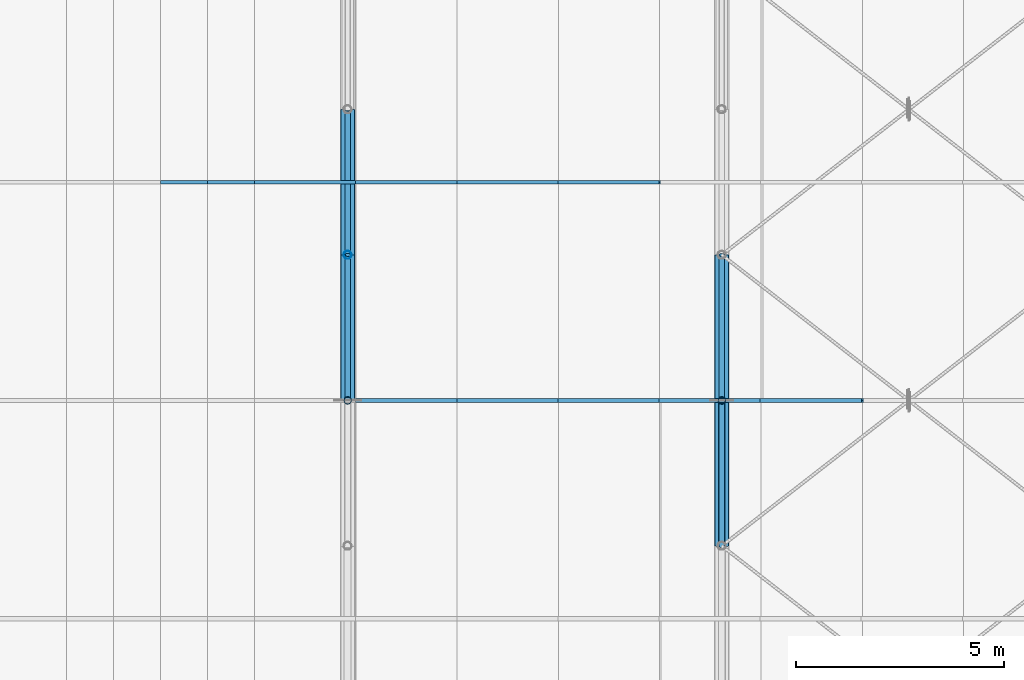
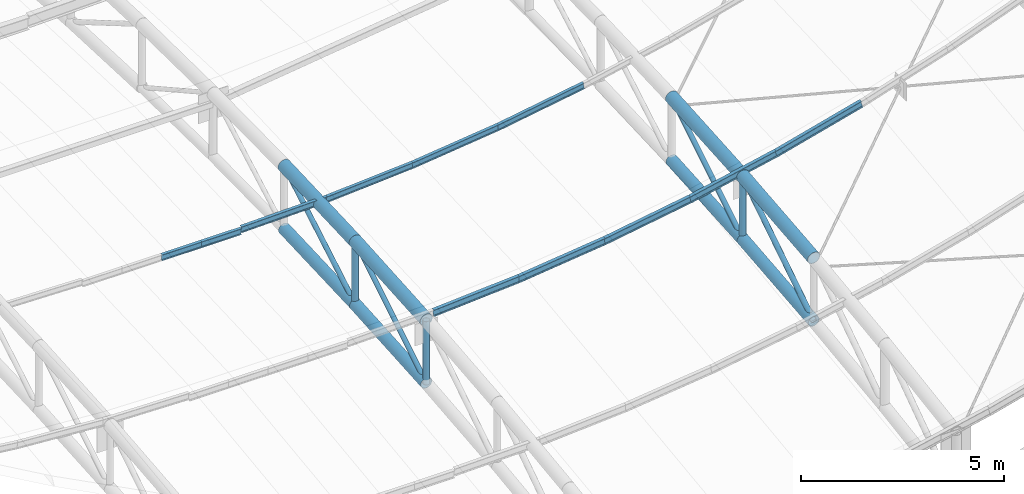
# One storey, part 28 of 262: 26 members.
"""IFC4 building model written with IfcOpenShell, lengths in metres."""

from ifc_helpers import new_model, si_unit, derived_unit, direction, frame, origin, origin_2d, place, context, subcontext, project, spatial, hollow_circle, i_section, extrude, material, material_profile, profile_set, type_object, element, save


model = new_model("IFC4")

# Units and contexts
model_context = context("Model", 3, precision=1e-05, world=origin(), true_north=direction((0.0, 1.0)))
body_context = subcontext(model_context, "Body", "Model", "MODEL_VIEW")
ifc_project = project(units=[si_unit("LENGTHUNIT", "METRE"), si_unit("AREAUNIT", "SQUARE_METRE"), si_unit("VOLUMEUNIT", "CUBIC_METRE"), si_unit("PLANEANGLEUNIT", "RADIAN"), si_unit("MASSUNIT", "GRAM", prefix="KILO"), derived_unit("THERMALTRANSMITTANCEUNIT", [(si_unit("POWERUNIT", "WATT"), 1), (si_unit("LENGTHUNIT", "METRE"), -2), (si_unit("THERMODYNAMICTEMPERATUREUNIT", "KELVIN"), -1)])], contexts=[model_context])

# Site, building, storey
site_placement = place(None, origin())
site = spatial("IfcSite", under=ifc_project, at=site_placement, CompositionType="ELEMENT")
building_placement = place(site_placement, origin())
building = spatial("IfcBuilding", under=site, at=building_placement, Name="Almenara Railside Exhibition Hall", CompositionType="ELEMENT")
storey_placement = place(building_placement, frame((0.0, 0.0, 21.699951171875)))
storey = spatial("IfcBuildingStorey", under=building, at=storey_placement, Name="RF", CompositionType="ELEMENT", Elevation=21.699951171875)

# Members
ifc_material = material(Name="Structural steel S355JR", Category="steel")
ifc_material_profile_1 = material_profile(ifc_material, i_section(OverallWidth=0.091064453125, OverallDepth=0.179931640625, WebThickness=0.00537109375, FlangeThickness=0.008056640625, FilletRadius=0.009033203125, at=origin_2d()), Name="IPE 180")
ifc_profile_set_1 = profile_set([ifc_material_profile_1], Name="Structural steel S355JR")
member_type_1 = type_object("IfcMemberType", Name="Plenary Roof Purlin IPE 180 S355JR", PredefinedType="PURLIN", material=ifc_profile_set_1)
member_1_placement = place(storey_placement, frame((34.5, 15.75, -6.424560546875), z_axis=(1.0, 0.0, 0.0), x_axis=(0.0, 1.0, 0.0)))
element("IfcMember", 1, at=member_1_placement, inside=storey, type_object=member_type_1, Name="MEM-PR-V4-PR-IPE180-03-14", PredefinedType="PURLIN", context=body_context, shape_type="SweptSolid", body=[
    extrude(i_section(OverallWidth=0.091064453125, OverallDepth=0.179931640625, WebThickness=0.00537109375, FlangeThickness=0.008056640625, FilletRadius=0.009033203125, at=origin_2d()), origin(), (0.0, 0.0, 1.0), 1.1298828125),
])
member_2_placement = place(storey_placement, frame((35.6298828125, 15.75, -6.424560546875), z_axis=(1.0, 0.0, 0.0), x_axis=(0.0, 1.0, 0.0)))
element("IfcMember", 2, at=member_2_placement, inside=storey, type_object=member_type_1, Name="MEM-PR-V4-PR-IPE180-03-15", PredefinedType="PURLIN", context=body_context, shape_type="SweptSolid", body=[
    extrude(i_section(OverallWidth=0.091064453125, OverallDepth=0.179931640625, WebThickness=0.00537109375, FlangeThickness=0.008056640625, FilletRadius=0.009033203125, at=origin_2d()), origin(), (0.0, 0.0, 1.0), 1.129638671875),
])
member_3_placement = place(storey_placement, frame((36.759521484375, 15.75, -6.37451171875), z_axis=(0.999725289903, 0.0, 0.023438104182), x_axis=(0.0, 1.0, 0.0)))
element("IfcMember", 3, at=member_3_placement, inside=storey, type_object=member_type_1, Name="MEM-PR-V4-PR-IPE180-03-16", PredefinedType="PURLIN", context=body_context, shape_type="SweptSolid", body=[
    extrude(i_section(OverallWidth=0.091064453125, OverallDepth=0.179931640625, WebThickness=0.00537109375, FlangeThickness=0.008056640625, FilletRadius=0.009033203125, at=origin_2d()), origin(), (0.0, 0.0, 1.0), 2.4375),
])
member_4_placement = place(storey_placement, frame((39.1962890625, 15.75, -6.318115234375), z_axis=(0.997521719737, 0.0, 0.070359211571), x_axis=(0.0, 1.0, 0.0)))
element("IfcMember", 4, at=member_4_placement, inside=storey, type_object=member_type_1, Name="MEM-PR-V4-PR-IPE180-03-17", PredefinedType="PURLIN", context=body_context, shape_type="SweptSolid", body=[
    extrude(i_section(OverallWidth=0.091064453125, OverallDepth=0.179931640625, WebThickness=0.00537109375, FlangeThickness=0.008056640625, FilletRadius=0.009033203125, at=origin_2d()), origin(), (0.0, 0.0, 1.0), 2.44287109375),
])
member_5_placement = place(storey_placement, frame((41.633056640625, 15.75, -6.147705078125), z_axis=(0.993105700961, 0.0, 0.117222296166), x_axis=(0.0, 1.0, 0.0)))
element("IfcMember", 5, at=member_5_placement, inside=storey, type_object=member_type_1, Name="MEM-PR-V4-PR-IPE180-03-18", PredefinedType="PURLIN", context=body_context, shape_type="SweptSolid", body=[
    extrude(i_section(OverallWidth=0.091064453125, OverallDepth=0.179931640625, WebThickness=0.00537109375, FlangeThickness=0.008056640625, FilletRadius=0.009033203125, at=origin_2d()), origin(), (0.0, 0.0, 1.0), 2.453369140625),
])
member_6_placement = place(storey_placement, frame((44.069580078125, 15.75, -5.862060546875), z_axis=(0.986449960692, 0.0, 0.164062412058), x_axis=(0.0, 1.0, 0.0)))
element("IfcMember", 6, at=member_6_placement, inside=storey, type_object=member_type_1, Name="MEM-PR-V4-PR-IPE180-03-19", PredefinedType="PURLIN", context=body_context, shape_type="SweptSolid", body=[
    extrude(i_section(OverallWidth=0.091064453125, OverallDepth=0.179931640625, WebThickness=0.00537109375, FlangeThickness=0.008056640625, FilletRadius=0.009033203125, at=origin_2d()), origin(), (0.0, 0.0, 1.0), 2.47021484375),
])
ifc_material_profile_2 = material_profile(ifc_material, hollow_circle(Radius=0.161865234375, WallThickness=0.010009765625, at=origin_2d()), Name="CHS 323.9x10")
ifc_profile_set_2 = profile_set([ifc_material_profile_2], Name="Structural steel S355JR")
member_type_2 = type_object("IfcMemberType", Name="Plenary Truss Bottom Chord CHS 323.9x10 S355JR", PredefinedType="CHORD", material=ifc_profile_set_2)
member_7_placement = place(storey_placement, frame((39.0, 10.5, -8.6015625), z_axis=(0.0, 0.997458699831, 0.071247049988), x_axis=(-1.0, 0.0, 0.0)))
element("IfcMember", 7, at=member_7_placement, inside=storey, type_object=member_type_2, Name="MEM-BC-V4-04-03", PredefinedType="CHORD", context=body_context, shape_type="SweptSolid", body=[
    extrude(hollow_circle(Radius=0.161865234375, WallThickness=0.010009765625, at=origin_2d()), origin(), (0.0, 0.0, 1.0), 3.509033203125),
])
member_8_placement = place(storey_placement, frame((39.0, 14.0, -8.3515625), z_axis=(0.0, 0.999084087935, 0.042790013253), x_axis=(-1.0, 0.0, 0.0)))
element("IfcMember", 8, at=member_8_placement, inside=storey, type_object=member_type_2, Name="MEM-BC-V4-04-04", PredefinedType="CHORD", context=body_context, shape_type="SweptSolid", body=[
    extrude(hollow_circle(Radius=0.161865234375, WallThickness=0.010009765625, at=origin_2d()), origin(), (0.0, 0.0, 1.0), 3.503173828125),
])
member_9_placement = place(storey_placement, frame((48.0, 7.0, -7.7705078125), z_axis=(0.0, 0.995041312637, 0.09946248612), x_axis=(-1.0, 0.0, 0.0)))
element("IfcMember", 9, at=member_9_placement, inside=storey, type_object=member_type_2, Name="MEM-BC-V4-05-02", PredefinedType="CHORD", context=body_context, shape_type="SweptSolid", body=[
    extrude(hollow_circle(Radius=0.161865234375, WallThickness=0.010009765625, at=origin_2d()), origin(), (0.0, 0.0, 1.0), 3.517333984375),
])
member_10_placement = place(storey_placement, frame((48.0, 10.5, -7.420654296875), z_axis=(0.0, 0.997458699831, 0.071247049988), x_axis=(-1.0, 0.0, 0.0)))
element("IfcMember", 10, at=member_10_placement, inside=storey, type_object=member_type_2, Name="MEM-BC-V4-05-03", PredefinedType="CHORD", context=body_context, shape_type="SweptSolid", body=[
    extrude(hollow_circle(Radius=0.161865234375, WallThickness=0.010009765625, at=origin_2d()), origin(), (0.0, 0.0, 1.0), 3.509033203125),
])
ifc_material_profile_3 = material_profile(ifc_material, hollow_circle(Radius=0.177734375, WallThickness=0.012451171875, at=origin_2d()), Name="CHS 355.6x12.5")
ifc_profile_set_3 = profile_set([ifc_material_profile_3], Name="Structural steel S355JR")
member_type_3 = type_object("IfcMemberType", Name="Plenary Truss Top Chord CHS 355.6x12.5 S355JR", PredefinedType="CHORD", material=ifc_profile_set_3)
member_11_placement = place(storey_placement, frame((39.0, 10.5, -6.70166015625), z_axis=(0.0, 0.997458699831, 0.071247049988), x_axis=(-1.0, 0.0, 0.0)))
element("IfcMember", 11, at=member_11_placement, inside=storey, type_object=member_type_3, Name="MEM-TC-V4-04-03", PredefinedType="CHORD", context=body_context, shape_type="SweptSolid", body=[
    extrude(hollow_circle(Radius=0.177734375, WallThickness=0.012451171875, at=origin_2d()), origin(), (0.0, 0.0, 1.0), 3.509033203125),
])
member_12_placement = place(storey_placement, frame((39.0, 14.0, -6.45166015625), z_axis=(0.0, 0.999084087935, 0.042790013253), x_axis=(-1.0, 0.0, 0.0)))
element("IfcMember", 12, at=member_12_placement, inside=storey, type_object=member_type_3, Name="MEM-TC-V4-04-04", PredefinedType="CHORD", context=body_context, shape_type="SweptSolid", body=[
    extrude(hollow_circle(Radius=0.177734375, WallThickness=0.012451171875, at=origin_2d()), origin(), (0.0, 0.0, 1.0), 3.503173828125),
])
member_13_placement = place(storey_placement, frame((48.0, 7.0, -5.87060546875), z_axis=(0.0, 0.995034440995, 0.099531207337), x_axis=(-1.0, 0.0, 0.0)))
element("IfcMember", 13, at=member_13_placement, inside=storey, type_object=member_type_3, Name="MEM-TC-V4-05-02", PredefinedType="CHORD", context=body_context, shape_type="SweptSolid", body=[
    extrude(hollow_circle(Radius=0.177734375, WallThickness=0.012451171875, at=origin_2d()), origin(), (0.0, 0.0, 1.0), 3.517578125),
])
member_14_placement = place(storey_placement, frame((48.0, 10.5, -5.5205078125), z_axis=(0.0, 0.997458699831, 0.071247049988), x_axis=(-1.0, 0.0, 0.0)))
element("IfcMember", 14, at=member_14_placement, inside=storey, type_object=member_type_3, Name="MEM-TC-V4-05-03", PredefinedType="CHORD", context=body_context, shape_type="SweptSolid", body=[
    extrude(hollow_circle(Radius=0.177734375, WallThickness=0.012451171875, at=origin_2d()), origin(), (0.0, 0.0, 1.0), 3.509033203125),
])
ifc_material_profile_4 = material_profile(ifc_material, i_section(OverallWidth=0.10009765625, OverallDepth=0.199951171875, WebThickness=0.005615234375, FlangeThickness=0.008544921875, FilletRadius=0.011962890625, at=origin_2d()), Name="IPE 200")
ifc_profile_set_4 = profile_set([ifc_material_profile_4], Name="Structural steel S355JR")
member_type_4 = type_object("IfcMemberType", Name="Standard Hall Roof Purlin IPE 200 S355JR", PredefinedType="PURLIN", material=ifc_profile_set_4)
member_15_placement = place(storey_placement, frame((39.1962890625, 10.5, -6.55517578125), z_axis=(0.997528729247, 0.0, 0.070259763216), x_axis=(0.0, 1.0, 0.0)))
element("IfcMember", 15, at=member_15_placement, inside=storey, type_object=member_type_4, Name="MEM-PR-V4-PR-IPE200-02-17", PredefinedType="PURLIN", context=body_context, shape_type="SweptSolid", body=[
    extrude(i_section(OverallWidth=0.10009765625, OverallDepth=0.199951171875, WebThickness=0.005615234375, FlangeThickness=0.008544921875, FilletRadius=0.011962890625, at=origin_2d()), origin(), (0.0, 0.0, 1.0), 2.44287109375),
])
member_16_placement = place(storey_placement, frame((41.633056640625, 10.5, -6.384765625), z_axis=(0.993117280569, 0.0, 0.117124152227), x_axis=(0.0, 1.0, 0.0)))
element("IfcMember", 16, at=member_16_placement, inside=storey, type_object=member_type_4, Name="MEM-PR-V4-PR-IPE200-02-18", PredefinedType="PURLIN", context=body_context, shape_type="SweptSolid", body=[
    extrude(i_section(OverallWidth=0.10009765625, OverallDepth=0.199951171875, WebThickness=0.005615234375, FlangeThickness=0.008544921875, FilletRadius=0.011962890625, at=origin_2d()), origin(), (0.0, 0.0, 1.0), 2.453369140625),
])
member_17_placement = place(storey_placement, frame((44.069580078125, 10.5, -6.099365234375), z_axis=(0.986449960692, 0.0, 0.164062412058), x_axis=(0.0, 1.0, 0.0)))
element("IfcMember", 17, at=member_17_placement, inside=storey, type_object=member_type_4, Name="MEM-PR-V4-PR-IPE200-02-19", PredefinedType="PURLIN", context=body_context, shape_type="SweptSolid", body=[
    extrude(i_section(OverallWidth=0.10009765625, OverallDepth=0.199951171875, WebThickness=0.005615234375, FlangeThickness=0.008544921875, FilletRadius=0.011962890625, at=origin_2d()), origin(), (0.0, 0.0, 1.0), 2.47021484375),
])
member_18_placement = place(storey_placement, frame((46.50634765625, 10.5, -5.69677734375), z_axis=(0.977516294467, 0.0, 0.210859891994), x_axis=(0.0, 1.0, 0.0)))
element("IfcMember", 18, at=member_18_placement, inside=storey, type_object=member_type_4, Name="MEM-PR-V4-PR-IPE200-02-20", PredefinedType="PURLIN", context=body_context, shape_type="SweptSolid", body=[
    extrude(i_section(OverallWidth=0.10009765625, OverallDepth=0.199951171875, WebThickness=0.005615234375, FlangeThickness=0.008544921875, FilletRadius=0.011962890625, at=origin_2d()), origin(), (0.0, 0.0, 1.0), 2.492919921875),
])
member_19_placement = place(storey_placement, frame((48.943115234375, 10.5, -5.174560546875), z_axis=(0.966201190487, 0.0, 0.257789176462), x_axis=(0.0, 1.0, 0.0)))
element("IfcMember", 19, at=member_19_placement, inside=storey, type_object=member_type_4, Name="MEM-PR-V4-PR-IPE200-02-21", PredefinedType="PURLIN", context=body_context, shape_type="SweptSolid", body=[
    extrude(i_section(OverallWidth=0.10009765625, OverallDepth=0.199951171875, WebThickness=0.005615234375, FlangeThickness=0.008544921875, FilletRadius=0.011962890625, at=origin_2d()), origin(), (0.0, 0.0, 1.0), 2.52197265625),
])
ifc_material_profile_5 = material_profile(ifc_material, hollow_circle(Radius=0.06982421875, WallThickness=0.0048828125, at=origin_2d()), Name="CHS 139.7x5")
ifc_profile_set_5 = profile_set([ifc_material_profile_5], Name="Structural steel S355JR")
member_type_5 = type_object("IfcMemberType", Name="Truss Inner Diagonal CHS 139.7x5 S355JR", PredefinedType="BRACE", material=ifc_profile_set_5)
member_20_placement = place(storey_placement, frame((39.0, 10.5, -8.6015625), z_axis=(0.0, 0.852086589476, 0.523400844512), x_axis=(-1.0, 0.0, 0.0)))
element("IfcMember", 20, at=member_20_placement, inside=storey, type_object=member_type_5, Name="MEM-TD-V4-04-03", PredefinedType="BRACE", context=body_context, shape_type="SweptSolid", body=[
    extrude(hollow_circle(Radius=0.06982421875, WallThickness=0.0048828125, at=origin_2d()), origin(), (0.0, 0.0, 1.0), 4.107666015625),
])
member_21_placement = place(storey_placement, frame((39.0, 14.0, -8.3515625), z_axis=(0.0, 0.86290436014, 0.505367257794), x_axis=(-1.0, 0.0, 0.0)))
element("IfcMember", 21, at=member_21_placement, inside=storey, type_object=member_type_5, Name="MEM-TD-V4-04-04", PredefinedType="BRACE", context=body_context, shape_type="SweptSolid", body=[
    extrude(hollow_circle(Radius=0.06982421875, WallThickness=0.0048828125, at=origin_2d()), origin(), (0.0, 0.0, 1.0), 4.05615234375),
])
member_22_placement = place(storey_placement, frame((48.0, 10.5, -7.420654296875), z_axis=(0.0, 0.852060081395, 0.523443996711), x_axis=(-1.0, 0.0, 0.0)))
element("IfcMember", 22, at=member_22_placement, inside=storey, type_object=member_type_5, Name="MEM-TD-V4-05-03", PredefinedType="BRACE", context=body_context, shape_type="SweptSolid", body=[
    extrude(hollow_circle(Radius=0.06982421875, WallThickness=0.0048828125, at=origin_2d()), origin(), (0.0, 0.0, 1.0), 4.107666015625),
])
ifc_material_profile_6 = material_profile(ifc_material, hollow_circle(Radius=0.076171875, WallThickness=0.0048828125, at=origin_2d()), Name="CHS 152.4x5")
ifc_profile_set_6 = profile_set([ifc_material_profile_6], Name="Structural steel S355JR")
member_type_6 = type_object("IfcMemberType", Name="Truss Mid Diagonal CHS 152.4x5 S355JR", PredefinedType="BRACE", material=ifc_profile_set_6)
member_23_placement = place(storey_placement, frame((48.0, 7.0, -7.7705078125), z_axis=(0.0, 0.841178475377, 0.540757591313), x_axis=(-1.0, 0.0, 0.0)))
element("IfcMember", 23, at=member_23_placement, inside=storey, type_object=member_type_6, Name="MEM-TD-V4-05-02", PredefinedType="BRACE", context=body_context, shape_type="SweptSolid", body=[
    extrude(hollow_circle(Radius=0.076171875, WallThickness=0.0048828125, at=origin_2d()), origin(), (0.0, 0.0, 1.0), 4.160888671875),
])
ifc_material_profile_7 = material_profile(ifc_material, hollow_circle(Radius=0.0888671875, WallThickness=0.006103515625, at=origin_2d()), Name="CHS 177.8x6")
ifc_profile_set_7 = profile_set([ifc_material_profile_7], Name="Structural steel S355JR")
member_type_7 = type_object("IfcMemberType", Name="Truss Quarter Vertical Strut CHS 177.8x6 S355JR", PredefinedType="BRACE", material=ifc_profile_set_7)
member_24_placement = place(storey_placement, frame((39.0, 10.5, -8.6015625), z_axis=(0.0, 0.0, 1.0), x_axis=(1.0, 0.0, 0.0)))
element("IfcMember", 24, at=member_24_placement, inside=storey, type_object=member_type_7, Name="MEM-TV-V4-04-03", PredefinedType="BRACE", context=body_context, shape_type="SweptSolid", body=[
    extrude(hollow_circle(Radius=0.0888671875, WallThickness=0.006103515625, at=origin_2d()), origin(), (0.0, 0.0, 1.0), 1.89990234375),
])
member_25_placement = place(storey_placement, frame((48.0, 10.5, -7.420654296875), z_axis=(0.0, 0.0, 1.0), x_axis=(1.0, 0.0, 0.0)))
element("IfcMember", 25, at=member_25_placement, inside=storey, type_object=member_type_7, Name="MEM-TV-V4-05-03", PredefinedType="BRACE", context=body_context, shape_type="SweptSolid", body=[
    extrude(hollow_circle(Radius=0.0888671875, WallThickness=0.006103515625, at=origin_2d()), origin(), (0.0, 0.0, 1.0), 1.900146484375),
])
ifc_material_profile_8 = material_profile(ifc_material, hollow_circle(Radius=0.096923828125, WallThickness=0.00634765625, at=origin_2d()), Name="CHS 193.7x6.3")
ifc_profile_set_8 = profile_set([ifc_material_profile_8], Name="Structural steel S355JR")
member_type_8 = type_object("IfcMemberType", Name="Truss Standard Vertical Strut CHS 193.7x6.3 S355JR", PredefinedType="BRACE", material=ifc_profile_set_8)
member_26_placement = place(storey_placement, frame((39.0, 14.0, -8.3515625), z_axis=(0.0, 0.0, 1.0), x_axis=(1.0, 0.0, 0.0)))
element("IfcMember", 26, at=member_26_placement, inside=storey, type_object=member_type_8, Name="MEM-TV-V4-04-04", PredefinedType="BRACE", context=body_context, shape_type="SweptSolid", body=[
    extrude(hollow_circle(Radius=0.096923828125, WallThickness=0.00634765625, at=origin_2d()), origin(), (0.0, 0.0, 1.0), 1.89990234375),
])

save(model, "model.ifc")
